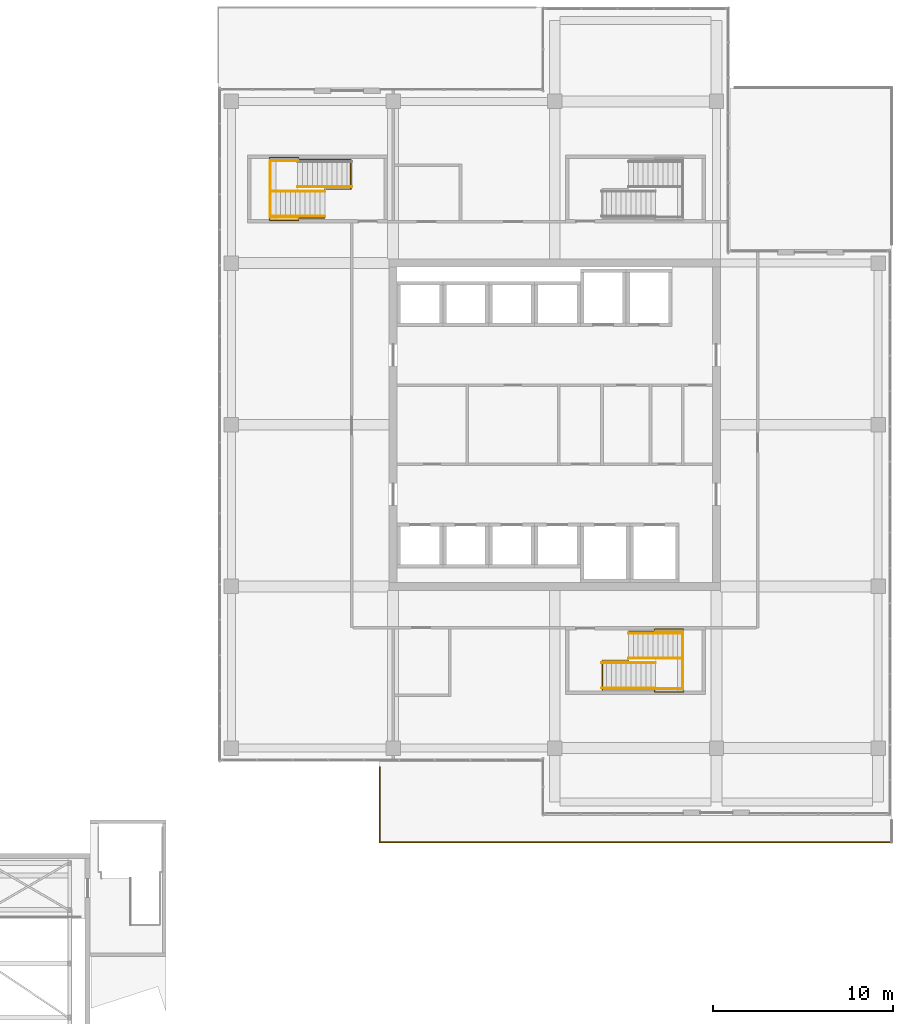
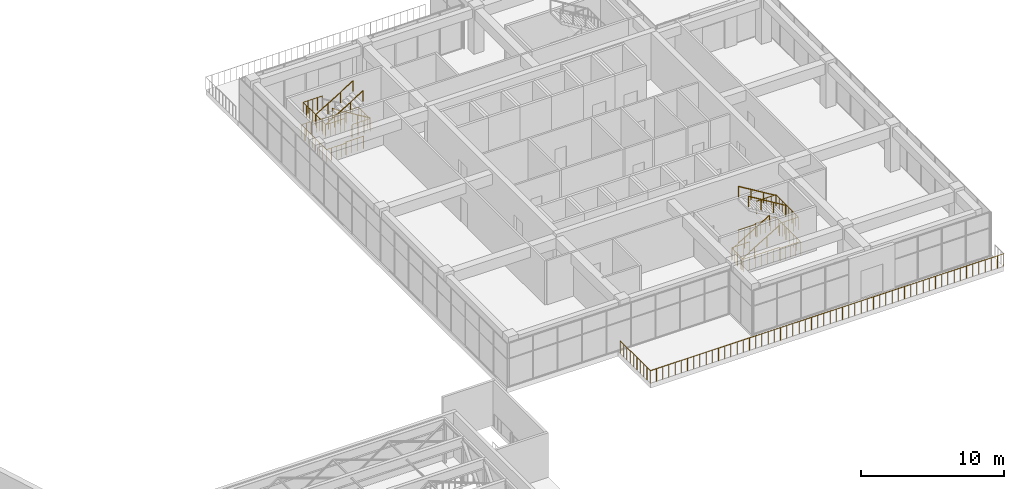
# One storey, part 80 of 81: 18 railings.
"""IFC4 building model written with IfcOpenShell, lengths in metres."""

from ifc_helpers import new_model, si_unit, direction, frame, origin, origin_2d, place, context, subcontext, project, spatial, circle, extrude, material, type_object, element, save


model = new_model("IFC4")

# Units and contexts
model_context = context("Model", 3, precision=1e-05, world=origin(), true_north=direction((0.0, 1.0)))
body_context = subcontext(model_context, "Body", "Model", "MODEL_VIEW")
ifc_project = project(units=[si_unit("LENGTHUNIT", "METRE"), si_unit("AREAUNIT", "SQUARE_METRE"), si_unit("VOLUMEUNIT", "CUBIC_METRE"), si_unit("PLANEANGLEUNIT", "RADIAN"), si_unit("MASSUNIT", "GRAM", prefix="KILO")], contexts=[model_context])

# Site, building, storey
site_placement = place(None, origin())
site = spatial("IfcSite", under=ifc_project, at=site_placement, CompositionType="ELEMENT")
building_placement = place(site_placement, origin())
building = spatial("IfcBuilding", under=site, at=building_placement, Name="Tuart Plaza Theatre", CompositionType="ELEMENT")
storey_placement = place(building_placement, frame((0.0, 0.0, 17.5)))
storey = spatial("IfcBuildingStorey", under=building, at=storey_placement, Name="L04", CompositionType="ELEMENT", Elevation=17.5)

# Railings
ifc_material_1 = material(Name="Steel Grade C350L0", Category="steel")
railing_type_1 = type_object("IfcRailingType", Name="RAILING Guard 1100", PredefinedType="GUARDRAIL", material=ifc_material_1)
railing_1_placement = place(storey_placement, frame((150.75, 50.75, 0.0)))
element("IfcRailing", 1, at=railing_1_placement, inside=storey, type_object=railing_type_1, Name="GR182", PredefinedType="GUARDRAIL", context=body_context, shape_type="SweptSolid", body=[
    extrude(circle(Radius=0.02490234375, at=origin_2d()), frame((0.0, 0.0, 1.0751953125), z_axis=(-1.0, 0.0, 0.0), x_axis=(0.0, -1.0, 0.0)), (0.0, 0.0, 1.0), 28.5),
    extrude(circle(Radius=0.02490234375, at=origin_2d()), frame((-28.5, 0.0, 1.0751953125), z_axis=(0.0, 1.0, 0.0), x_axis=(-1.0, 0.0, 0.0)), (0.0, 0.0, 1.0), 4.199951171875),
    extrude(circle(Radius=0.02001953125, at=origin_2d()), origin(), (0.0, 0.0, 1.0), 1.050048828125),
    extrude(circle(Radius=0.02001953125, at=origin_2d()), frame((-0.5, 0.0, 0.0)), (0.0, 0.0, 1.0), 1.050048828125),
    extrude(circle(Radius=0.02001953125, at=origin_2d()), frame((-1.0, 0.0, 0.0)), (0.0, 0.0, 1.0), 1.050048828125),
    extrude(circle(Radius=0.02001953125, at=origin_2d()), frame((-1.5, 0.0, 0.0)), (0.0, 0.0, 1.0), 1.050048828125),
    extrude(circle(Radius=0.02001953125, at=origin_2d()), frame((-2.0, 0.0, 0.0)), (0.0, 0.0, 1.0), 1.050048828125),
    extrude(circle(Radius=0.02001953125, at=origin_2d()), frame((-2.5, 0.0, 0.0)), (0.0, 0.0, 1.0), 1.050048828125),
    extrude(circle(Radius=0.02001953125, at=origin_2d()), frame((-3.0, 0.0, 0.0)), (0.0, 0.0, 1.0), 1.050048828125),
    extrude(circle(Radius=0.02001953125, at=origin_2d()), frame((-3.5, 0.0, 0.0)), (0.0, 0.0, 1.0), 1.050048828125),
    extrude(circle(Radius=0.02001953125, at=origin_2d()), frame((-4.0, 0.0, 0.0)), (0.0, 0.0, 1.0), 1.050048828125),
    extrude(circle(Radius=0.02001953125, at=origin_2d()), frame((-4.5, 0.0, 0.0)), (0.0, 0.0, 1.0), 1.050048828125),
    extrude(circle(Radius=0.02001953125, at=origin_2d()), frame((-5.0, 0.0, 0.0)), (0.0, 0.0, 1.0), 1.050048828125),
    extrude(circle(Radius=0.02001953125, at=origin_2d()), frame((-5.5, 0.0, 0.0)), (0.0, 0.0, 1.0), 1.050048828125),
    extrude(circle(Radius=0.02001953125, at=origin_2d()), frame((-6.0, 0.0, 0.0)), (0.0, 0.0, 1.0), 1.050048828125),
    extrude(circle(Radius=0.02001953125, at=origin_2d()), frame((-6.5, 0.0, 0.0)), (0.0, 0.0, 1.0), 1.050048828125),
    extrude(circle(Radius=0.02001953125, at=origin_2d()), frame((-7.0, 0.0, 0.0)), (0.0, 0.0, 1.0), 1.050048828125),
    extrude(circle(Radius=0.02001953125, at=origin_2d()), frame((-7.5, 0.0, 0.0)), (0.0, 0.0, 1.0), 1.050048828125),
    extrude(circle(Radius=0.02001953125, at=origin_2d()), frame((-8.0, 0.0, 0.0)), (0.0, 0.0, 1.0), 1.050048828125),
    extrude(circle(Radius=0.02001953125, at=origin_2d()), frame((-8.5, 0.0, 0.0)), (0.0, 0.0, 1.0), 1.050048828125),
    extrude(circle(Radius=0.02001953125, at=origin_2d()), frame((-9.0, 0.0, 0.0)), (0.0, 0.0, 1.0), 1.050048828125),
    extrude(circle(Radius=0.02001953125, at=origin_2d()), frame((-9.5, 0.0, 0.0)), (0.0, 0.0, 1.0), 1.050048828125),
    extrude(circle(Radius=0.02001953125, at=origin_2d()), frame((-10.0, 0.0, 0.0)), (0.0, 0.0, 1.0), 1.050048828125),
    extrude(circle(Radius=0.02001953125, at=origin_2d()), frame((-10.5, 0.0, 0.0)), (0.0, 0.0, 1.0), 1.050048828125),
    extrude(circle(Radius=0.02001953125, at=origin_2d()), frame((-11.0, 0.0, 0.0)), (0.0, 0.0, 1.0), 1.050048828125),
    extrude(circle(Radius=0.02001953125, at=origin_2d()), frame((-11.5, 0.0, 0.0)), (0.0, 0.0, 1.0), 1.050048828125),
    extrude(circle(Radius=0.02001953125, at=origin_2d()), frame((-12.0, 0.0, 0.0)), (0.0, 0.0, 1.0), 1.050048828125),
    extrude(circle(Radius=0.02001953125, at=origin_2d()), frame((-12.5, 0.0, 0.0)), (0.0, 0.0, 1.0), 1.050048828125),
    extrude(circle(Radius=0.02001953125, at=origin_2d()), frame((-13.0, 0.0, 0.0)), (0.0, 0.0, 1.0), 1.050048828125),
    extrude(circle(Radius=0.02001953125, at=origin_2d()), frame((-13.5, 0.0, 0.0)), (0.0, 0.0, 1.0), 1.050048828125),
    extrude(circle(Radius=0.02001953125, at=origin_2d()), frame((-14.0, 0.0, 0.0)), (0.0, 0.0, 1.0), 1.050048828125),
    extrude(circle(Radius=0.02001953125, at=origin_2d()), frame((-14.5, 0.0, 0.0)), (0.0, 0.0, 1.0), 1.050048828125),
    extrude(circle(Radius=0.02001953125, at=origin_2d()), frame((-15.0, 0.0, 0.0)), (0.0, 0.0, 1.0), 1.050048828125),
    extrude(circle(Radius=0.02001953125, at=origin_2d()), frame((-15.5, 0.0, 0.0)), (0.0, 0.0, 1.0), 1.050048828125),
    extrude(circle(Radius=0.02001953125, at=origin_2d()), frame((-16.0, 0.0, 0.0)), (0.0, 0.0, 1.0), 1.050048828125),
    extrude(circle(Radius=0.02001953125, at=origin_2d()), frame((-16.5, 0.0, 0.0)), (0.0, 0.0, 1.0), 1.050048828125),
    extrude(circle(Radius=0.02001953125, at=origin_2d()), frame((-17.0, 0.0, 0.0)), (0.0, 0.0, 1.0), 1.050048828125),
    extrude(circle(Radius=0.02001953125, at=origin_2d()), frame((-17.5, 0.0, 0.0)), (0.0, 0.0, 1.0), 1.050048828125),
    extrude(circle(Radius=0.02001953125, at=origin_2d()), frame((-18.0, 0.0, 0.0)), (0.0, 0.0, 1.0), 1.050048828125),
    extrude(circle(Radius=0.02001953125, at=origin_2d()), frame((-18.5, 0.0, 0.0)), (0.0, 0.0, 1.0), 1.050048828125),
    extrude(circle(Radius=0.02001953125, at=origin_2d()), frame((-19.0, 0.0, 0.0)), (0.0, 0.0, 1.0), 1.050048828125),
    extrude(circle(Radius=0.02001953125, at=origin_2d()), frame((-19.5, 0.0, 0.0)), (0.0, 0.0, 1.0), 1.050048828125),
    extrude(circle(Radius=0.02001953125, at=origin_2d()), frame((-20.0, 0.0, 0.0)), (0.0, 0.0, 1.0), 1.050048828125),
    extrude(circle(Radius=0.02001953125, at=origin_2d()), frame((-20.5, 0.0, 0.0)), (0.0, 0.0, 1.0), 1.050048828125),
    extrude(circle(Radius=0.02001953125, at=origin_2d()), frame((-21.0, 0.0, 0.0)), (0.0, 0.0, 1.0), 1.050048828125),
    extrude(circle(Radius=0.02001953125, at=origin_2d()), frame((-21.5, 0.0, 0.0)), (0.0, 0.0, 1.0), 1.050048828125),
    extrude(circle(Radius=0.02001953125, at=origin_2d()), frame((-22.0, 0.0, 0.0)), (0.0, 0.0, 1.0), 1.050048828125),
    extrude(circle(Radius=0.02001953125, at=origin_2d()), frame((-22.5, 0.0, 0.0)), (0.0, 0.0, 1.0), 1.050048828125),
    extrude(circle(Radius=0.02001953125, at=origin_2d()), frame((-23.0, 0.0, 0.0)), (0.0, 0.0, 1.0), 1.050048828125),
    extrude(circle(Radius=0.02001953125, at=origin_2d()), frame((-23.5, 0.0, 0.0)), (0.0, 0.0, 1.0), 1.050048828125),
    extrude(circle(Radius=0.02001953125, at=origin_2d()), frame((-24.0, 0.0, 0.0)), (0.0, 0.0, 1.0), 1.050048828125),
    extrude(circle(Radius=0.02001953125, at=origin_2d()), frame((-24.5, 0.0, 0.0)), (0.0, 0.0, 1.0), 1.050048828125),
    extrude(circle(Radius=0.02001953125, at=origin_2d()), frame((-25.0, 0.0, 0.0)), (0.0, 0.0, 1.0), 1.050048828125),
    extrude(circle(Radius=0.02001953125, at=origin_2d()), frame((-25.5, 0.0, 0.0)), (0.0, 0.0, 1.0), 1.050048828125),
    extrude(circle(Radius=0.02001953125, at=origin_2d()), frame((-26.0, 0.0, 0.0)), (0.0, 0.0, 1.0), 1.050048828125),
    extrude(circle(Radius=0.02001953125, at=origin_2d()), frame((-26.5, 0.0, 0.0)), (0.0, 0.0, 1.0), 1.050048828125),
    extrude(circle(Radius=0.02001953125, at=origin_2d()), frame((-27.0, 0.0, 0.0)), (0.0, 0.0, 1.0), 1.050048828125),
    extrude(circle(Radius=0.02001953125, at=origin_2d()), frame((-27.5, 0.0, 0.0)), (0.0, 0.0, 1.0), 1.050048828125),
    extrude(circle(Radius=0.02001953125, at=origin_2d()), frame((-28.0, 0.0, 0.0)), (0.0, 0.0, 1.0), 1.050048828125),
    extrude(circle(Radius=0.02001953125, at=origin_2d()), frame((-28.5, 0.0, 0.0)), (0.0, 0.0, 1.0), 1.050048828125),
    extrude(circle(Radius=0.02001953125, at=origin_2d()), frame((-28.5, 0.466552734375, 0.0)), (0.0, 0.0, 1.0), 1.050048828125),
    extrude(circle(Radius=0.02001953125, at=origin_2d()), frame((-28.5, 0.933349609375, 0.0)), (0.0, 0.0, 1.0), 1.050048828125),
    extrude(circle(Radius=0.02001953125, at=origin_2d()), frame((-28.5, 1.39990234375, 0.0)), (0.0, 0.0, 1.0), 1.050048828125),
    extrude(circle(Radius=0.02001953125, at=origin_2d()), frame((-28.5, 1.86669921875, 0.0)), (0.0, 0.0, 1.0), 1.050048828125),
    extrude(circle(Radius=0.02001953125, at=origin_2d()), frame((-28.5, 2.333251953125, 0.0)), (0.0, 0.0, 1.0), 1.050048828125),
    extrude(circle(Radius=0.02001953125, at=origin_2d()), frame((-28.5, 2.800048828125, 0.0)), (0.0, 0.0, 1.0), 1.050048828125),
    extrude(circle(Radius=0.02001953125, at=origin_2d()), frame((-28.5, 3.2666015625, 0.0)), (0.0, 0.0, 1.0), 1.050048828125),
    extrude(circle(Radius=0.02001953125, at=origin_2d()), frame((-28.5, 3.7333984375, 0.0)), (0.0, 0.0, 1.0), 1.050048828125),
    extrude(circle(Radius=0.02001953125, at=origin_2d()), frame((-28.5, 4.199951171875, 0.0)), (0.0, 0.0, 1.0), 1.050048828125),
])
railing_2_placement = place(storey_placement, frame((134.655029296875, 59.25, 0.0)))
element("IfcRailing", 2, at=railing_2_placement, inside=storey, type_object=railing_type_1, Name="GR214", PredefinedType="GUARDRAIL", context=body_context, shape_type="SweptSolid", body=[
    extrude(circle(Radius=0.02490234375, at=origin_2d()), frame((0.0, 0.0, 1.0751953125), z_axis=(0.0, 1.0, 0.0), x_axis=(-1.0, 0.0, 0.0)), (0.0, 0.0, 1.0), 1.625),
    extrude(circle(Radius=0.02490234375, at=origin_2d()), frame((0.0, 1.625, 1.0751953125), z_axis=(1.0, 0.0, 0.0), x_axis=(0.0, 1.0, 0.0)), (0.0, 0.0, 1.0), 1.455078125),
    extrude(circle(Radius=0.02001953125, at=origin_2d()), origin(), (0.0, 0.0, 1.0), 1.050048828125),
    extrude(circle(Radius=0.02001953125, at=origin_2d()), frame((0.0, 0.40625, 0.0)), (0.0, 0.0, 1.0), 1.050048828125),
    extrude(circle(Radius=0.02001953125, at=origin_2d()), frame((0.0, 0.8125, 0.0)), (0.0, 0.0, 1.0), 1.050048828125),
    extrude(circle(Radius=0.02001953125, at=origin_2d()), frame((0.0, 1.21875, 0.0)), (0.0, 0.0, 1.0), 1.050048828125),
    extrude(circle(Radius=0.02001953125, at=origin_2d()), frame((0.0, 1.625, 0.0)), (0.0, 0.0, 1.0), 1.050048828125),
    extrude(circle(Radius=0.02001953125, at=origin_2d()), frame((0.485107421875, 1.625, 0.0)), (0.0, 0.0, 1.0), 1.050048828125),
    extrude(circle(Radius=0.02001953125, at=origin_2d()), frame((0.969970703125, 1.625, 0.0)), (0.0, 0.0, 1.0), 1.050048828125),
    extrude(circle(Radius=0.02001953125, at=origin_2d()), frame((1.455078125, 1.625, 0.0)), (0.0, 0.0, 1.0), 1.050048828125),
])
railing_3_placement = place(storey_placement, frame((136.114990234375, 62.455078125, 0.0)))
element("IfcRailing", 3, at=railing_3_placement, inside=storey, type_object=railing_type_1, Name="GR215", PredefinedType="GUARDRAIL", context=body_context, shape_type="SweptSolid", body=[
    extrude(circle(Radius=0.02490234375, at=origin_2d()), frame((0.0, 0.0, 1.0751953125), z_axis=(0.0, 1.0, 0.0), x_axis=(-1.0, 0.0, 0.0)), (0.0, 0.0, 1.0), 0.044921875),
    extrude(circle(Radius=0.02490234375, at=origin_2d()), frame((0.0, 0.044921875, 1.0751953125), z_axis=(1.0, 0.0, 0.0), x_axis=(0.0, 1.0, 0.0)), (0.0, 0.0, 1.0), 1.43505859375),
    extrude(circle(Radius=0.02490234375, at=origin_2d()), frame((1.43505859375, 0.044921875, 1.0751953125), z_axis=(0.0, 1.0, 0.0), x_axis=(-1.0, 0.0, 0.0)), (0.0, 0.0, 1.0), 0.123046875),
    extrude(circle(Radius=0.02490234375, at=origin_2d()), frame((1.43505859375, 0.16796875, 1.0751953125), z_axis=(1.0, 0.0, 0.0), x_axis=(0.0, 1.0, 0.0)), (0.0, 0.0, 1.0), 1.6298828125),
    extrude(circle(Radius=0.02490234375, at=origin_2d()), frame((3.06494140625, 0.16796875, 1.0751953125), z_axis=(0.0, -1.0, 0.0), x_axis=(1.0, 0.0, 0.0)), (0.0, 0.0, 1.0), 3.49609375),
    extrude(circle(Radius=0.02490234375, at=origin_2d()), frame((3.06494140625, -3.328125, 1.0751953125), z_axis=(-1.0, 0.0, 0.0), x_axis=(0.0, -1.0, 0.0)), (0.0, 0.0, 1.0), 1.6298828125),
    extrude(circle(Radius=0.02490234375, at=origin_2d()), frame((1.43505859375, -3.328125, 1.0751953125), z_axis=(0.0, 1.0, 0.0), x_axis=(-1.0, 0.0, 0.0)), (0.0, 0.0, 1.0), 0.123046875),
    extrude(circle(Radius=0.02490234375, at=origin_2d()), frame((1.43505859375, -3.205078125, 1.0751953125), z_axis=(-1.0, 0.0, 0.0), x_axis=(0.0, -1.0, 0.0)), (0.0, 0.0, 1.0), 2.89501953125),
    extrude(circle(Radius=0.02001953125, at=origin_2d()), origin(), (0.0, 0.0, 1.0), 1.050048828125),
    extrude(circle(Radius=0.02001953125, at=origin_2d()), frame((0.0, 0.044921875, 0.0)), (0.0, 0.0, 1.0), 1.050048828125),
    extrude(circle(Radius=0.02001953125, at=origin_2d()), frame((0.478271484375, 0.044921875, 0.0)), (0.0, 0.0, 1.0), 1.050048828125),
    extrude(circle(Radius=0.02001953125, at=origin_2d()), frame((0.956787109375, 0.044921875, 0.0)), (0.0, 0.0, 1.0), 1.050048828125),
    extrude(circle(Radius=0.02001953125, at=origin_2d()), frame((1.43505859375, 0.044921875, 0.0)), (0.0, 0.0, 1.0), 1.050048828125),
    extrude(circle(Radius=0.02001953125, at=origin_2d()), frame((1.43505859375, 0.16796875, 0.0)), (0.0, 0.0, 1.0), 1.050048828125),
    extrude(circle(Radius=0.02001953125, at=origin_2d()), frame((1.842529296875, 0.16796875, 0.0)), (0.0, 0.0, 1.0), 1.050048828125),
    extrude(circle(Radius=0.02001953125, at=origin_2d()), frame((2.25, 0.16796875, 0.0)), (0.0, 0.0, 1.0), 1.050048828125),
    extrude(circle(Radius=0.02001953125, at=origin_2d()), frame((2.657470703125, 0.16796875, 0.0)), (0.0, 0.0, 1.0), 1.050048828125),
    extrude(circle(Radius=0.02001953125, at=origin_2d()), frame((3.06494140625, 0.16796875, 0.0)), (0.0, 0.0, 1.0), 1.050048828125),
    extrude(circle(Radius=0.02001953125, at=origin_2d()), frame((3.06494140625, -0.33154296875, 0.0)), (0.0, 0.0, 1.0), 1.050048828125),
    extrude(circle(Radius=0.02001953125, at=origin_2d()), frame((3.06494140625, -0.830810546875, 0.0)), (0.0, 0.0, 1.0), 1.050048828125),
    extrude(circle(Radius=0.02001953125, at=origin_2d()), frame((3.06494140625, -1.330322265625, 0.0)), (0.0, 0.0, 1.0), 1.050048828125),
    extrude(circle(Radius=0.02001953125, at=origin_2d()), frame((3.06494140625, -1.829833984375, 0.0)), (0.0, 0.0, 1.0), 1.050048828125),
    extrude(circle(Radius=0.02001953125, at=origin_2d()), frame((3.06494140625, -2.329345703125, 0.0)), (0.0, 0.0, 1.0), 1.050048828125),
    extrude(circle(Radius=0.02001953125, at=origin_2d()), frame((3.06494140625, -2.82861328125, 0.0)), (0.0, 0.0, 1.0), 1.050048828125),
    extrude(circle(Radius=0.02001953125, at=origin_2d()), frame((3.06494140625, -3.328125, 0.0)), (0.0, 0.0, 1.0), 1.050048828125),
    extrude(circle(Radius=0.02001953125, at=origin_2d()), frame((2.657470703125, -3.328125, 0.0)), (0.0, 0.0, 1.0), 1.050048828125),
    extrude(circle(Radius=0.02001953125, at=origin_2d()), frame((2.25, -3.328125, 0.0)), (0.0, 0.0, 1.0), 1.050048828125),
    extrude(circle(Radius=0.02001953125, at=origin_2d()), frame((1.842529296875, -3.328125, 0.0)), (0.0, 0.0, 1.0), 1.050048828125),
    extrude(circle(Radius=0.02001953125, at=origin_2d()), frame((1.43505859375, -3.328125, 0.0)), (0.0, 0.0, 1.0), 1.050048828125),
    extrude(circle(Radius=0.02001953125, at=origin_2d()), frame((1.43505859375, -3.205078125, 0.0)), (0.0, 0.0, 1.0), 1.050048828125),
    extrude(circle(Radius=0.02001953125, at=origin_2d()), frame((0.95263671875, -3.205078125, 0.0)), (0.0, 0.0, 1.0), 1.050048828125),
    extrude(circle(Radius=0.02001953125, at=origin_2d()), frame((0.469970703125, -3.205078125, 0.0)), (0.0, 0.0, 1.0), 1.050048828125),
    extrude(circle(Radius=0.02001953125, at=origin_2d()), frame((-0.012451171875, -3.205078125, 0.0)), (0.0, 0.0, 1.0), 1.050048828125),
    extrude(circle(Radius=0.02001953125, at=origin_2d()), frame((-0.494873046875, -3.205078125, 0.0)), (0.0, 0.0, 1.0), 1.050048828125),
    extrude(circle(Radius=0.02001953125, at=origin_2d()), frame((-0.9775390625, -3.205078125, 0.0)), (0.0, 0.0, 1.0), 1.050048828125),
    extrude(circle(Radius=0.02001953125, at=origin_2d()), frame((-1.4599609375, -3.205078125, 0.0)), (0.0, 0.0, 1.0), 1.050048828125),
])
railing_4_placement = place(storey_placement, frame((137.60009765625, 59.300048828125, 2.0)))
element("IfcRailing", 4, at=railing_4_placement, inside=storey, type_object=railing_type_1, Name="GR221", PredefinedType="GUARDRAIL", context=body_context, shape_type="SweptSolid", body=[
    extrude(circle(Radius=0.02490234375, at=origin_2d()), frame((0.0, 0.0, 1.0751953125), z_axis=(1.0, 0.0, 0.0), x_axis=(0.0, 1.0, 0.0)), (0.0, 0.0, 1.0), 1.52978515625),
    extrude(circle(Radius=0.02001953125, at=origin_2d()), origin(), (0.0, 0.0, 1.0), 1.050048828125),
    extrude(circle(Radius=0.02001953125, at=origin_2d()), frame((0.38232421875, 0.0, 0.0)), (0.0, 0.0, 1.0), 1.050048828125),
    extrude(circle(Radius=0.02001953125, at=origin_2d()), frame((0.764892578125, 0.0, 0.0)), (0.0, 0.0, 1.0), 1.050048828125),
    extrude(circle(Radius=0.02001953125, at=origin_2d()), frame((1.1474609375, 0.0, 0.0)), (0.0, 0.0, 1.0), 1.050048828125),
    extrude(circle(Radius=0.02001953125, at=origin_2d()), frame((1.52978515625, 0.0, 0.0)), (0.0, 0.0, 1.0), 1.050048828125),
])
railing_5_placement = place(storey_placement, frame((139.1298828125, 59.300048828125, 2.0)))
element("IfcRailing", 5, at=railing_5_placement, inside=storey, type_object=railing_type_1, Name="GR222", PredefinedType="GUARDRAIL", context=body_context, shape_type="SweptSolid", body=[
    extrude(circle(Radius=0.02490234375, at=origin_2d()), frame((0.0, 0.0, 1.0751953125), z_axis=(0.0, 1.0, 0.0), x_axis=(-1.0, 0.0, 0.0)), (0.0, 0.0, 1.0), 3.14990234375),
    extrude(circle(Radius=0.02001953125, at=origin_2d()), origin(), (0.0, 0.0, 1.0), 1.050048828125),
    extrude(circle(Radius=0.02001953125, at=origin_2d()), frame((0.0, 0.449951171875, 0.0)), (0.0, 0.0, 1.0), 1.050048828125),
    extrude(circle(Radius=0.02001953125, at=origin_2d()), frame((0.0, 0.89990234375, 0.0)), (0.0, 0.0, 1.0), 1.050048828125),
    extrude(circle(Radius=0.02001953125, at=origin_2d()), frame((0.0, 1.349853515625, 0.0)), (0.0, 0.0, 1.0), 1.050048828125),
    extrude(circle(Radius=0.02001953125, at=origin_2d()), frame((0.0, 1.800048828125, 0.0)), (0.0, 0.0, 1.0), 1.050048828125),
    extrude(circle(Radius=0.02001953125, at=origin_2d()), frame((0.0, 2.25, 0.0)), (0.0, 0.0, 1.0), 1.050048828125),
    extrude(circle(Radius=0.02001953125, at=origin_2d()), frame((0.0, 2.699951171875, 0.0)), (0.0, 0.0, 1.0), 1.050048828125),
    extrude(circle(Radius=0.02001953125, at=origin_2d()), frame((0.0, 3.14990234375, 0.0)), (0.0, 0.0, 1.0), 1.050048828125),
])
railing_6_placement = place(storey_placement, frame((139.1298828125, 62.449951171875, 2.0)))
element("IfcRailing", 6, at=railing_6_placement, inside=storey, type_object=railing_type_1, Name="GR223", PredefinedType="GUARDRAIL", context=body_context, shape_type="SweptSolid", body=[
    extrude(circle(Radius=0.02490234375, at=origin_2d()), frame((0.0, 0.0, 1.0751953125), z_axis=(-1.0, 0.0, 0.0), x_axis=(0.0, -1.0, 0.0)), (0.0, 0.0, 1.0), 1.52978515625),
    extrude(circle(Radius=0.02001953125, at=origin_2d()), origin(), (0.0, 0.0, 1.0), 1.050048828125),
    extrude(circle(Radius=0.02001953125, at=origin_2d()), frame((-0.38232421875, 0.0, 0.0)), (0.0, 0.0, 1.0), 1.050048828125),
    extrude(circle(Radius=0.02001953125, at=origin_2d()), frame((-0.764892578125, 0.0, 0.0)), (0.0, 0.0, 1.0), 1.050048828125),
    extrude(circle(Radius=0.02001953125, at=origin_2d()), frame((-1.1474609375, 0.0, 0.0)), (0.0, 0.0, 1.0), 1.050048828125),
    extrude(circle(Radius=0.02001953125, at=origin_2d()), frame((-1.52978515625, 0.0, 0.0)), (0.0, 0.0, 1.0), 1.050048828125),
])
railing_7_placement = place(storey_placement, frame((117.75, 88.75, 0.0)))
element("IfcRailing", 7, at=railing_7_placement, inside=storey, type_object=railing_type_1, Name="GR372", PredefinedType="GUARDRAIL", context=body_context, shape_type="SweptSolid", body=[
    extrude(circle(Radius=0.02490234375, at=origin_2d()), frame((0.0, 0.0, 1.0751953125), z_axis=(1.0, 0.0, 0.0), x_axis=(0.0, 1.0, 0.0)), (0.0, 0.0, 1.0), 2.89501953125),
    extrude(circle(Radius=0.02490234375, at=origin_2d()), frame((2.89501953125, 0.0, 1.0751953125), z_axis=(0.0, -1.0, 0.0), x_axis=(1.0, 0.0, 0.0)), (0.0, 0.0, 1.0), 1.625),
    extrude(circle(Radius=0.02490234375, at=origin_2d()), frame((2.89501953125, -1.625, 1.0751953125), z_axis=(-1.0, 0.0, 0.0), x_axis=(0.0, -1.0, 0.0)), (0.0, 0.0, 1.0), 1.455078125),
    extrude(circle(Radius=0.02001953125, at=origin_2d()), origin(), (0.0, 0.0, 1.0), 1.050048828125),
    extrude(circle(Radius=0.02001953125, at=origin_2d()), frame((0.482421875, 0.0, 0.0)), (0.0, 0.0, 1.0), 1.050048828125),
    extrude(circle(Radius=0.02001953125, at=origin_2d()), frame((0.965087890625, 0.0, 0.0)), (0.0, 0.0, 1.0), 1.050048828125),
    extrude(circle(Radius=0.02001953125, at=origin_2d()), frame((1.447509765625, 0.0, 0.0)), (0.0, 0.0, 1.0), 1.050048828125),
    extrude(circle(Radius=0.02001953125, at=origin_2d()), frame((1.929931640625, 0.0, 0.0)), (0.0, 0.0, 1.0), 1.050048828125),
    extrude(circle(Radius=0.02001953125, at=origin_2d()), frame((2.41259765625, 0.0, 0.0)), (0.0, 0.0, 1.0), 1.050048828125),
    extrude(circle(Radius=0.02001953125, at=origin_2d()), frame((2.89501953125, 0.0, 0.0)), (0.0, 0.0, 1.0), 1.050048828125),
    extrude(circle(Radius=0.02001953125, at=origin_2d()), frame((2.89501953125, -0.40625, 0.0)), (0.0, 0.0, 1.0), 1.050048828125),
    extrude(circle(Radius=0.02001953125, at=origin_2d()), frame((2.89501953125, -0.8125, 0.0)), (0.0, 0.0, 1.0), 1.050048828125),
    extrude(circle(Radius=0.02001953125, at=origin_2d()), frame((2.89501953125, -1.21875, 0.0)), (0.0, 0.0, 1.0), 1.050048828125),
    extrude(circle(Radius=0.02001953125, at=origin_2d()), frame((2.89501953125, -1.625, 0.0)), (0.0, 0.0, 1.0), 1.050048828125),
    extrude(circle(Radius=0.02001953125, at=origin_2d()), frame((2.409912109375, -1.625, 0.0)), (0.0, 0.0, 1.0), 1.050048828125),
    extrude(circle(Radius=0.02001953125, at=origin_2d()), frame((1.925048828125, -1.625, 0.0)), (0.0, 0.0, 1.0), 1.050048828125),
    extrude(circle(Radius=0.02001953125, at=origin_2d()), frame((1.43994140625, -1.625, 0.0)), (0.0, 0.0, 1.0), 1.050048828125),
])
railing_8_placement = place(storey_placement, frame((119.18505859375, 85.544921875, 0.0)))
element("IfcRailing", 8, at=railing_8_placement, inside=storey, type_object=railing_type_1, Name="GR373", PredefinedType="GUARDRAIL", context=body_context, shape_type="SweptSolid", body=[
    extrude(circle(Radius=0.02490234375, at=origin_2d()), frame((0.0, 0.0, 1.0751953125), z_axis=(0.0, -1.0, 0.0), x_axis=(1.0, 0.0, 0.0)), (0.0, 0.0, 1.0), 0.044921875),
    extrude(circle(Radius=0.02490234375, at=origin_2d()), frame((0.0, -0.044921875, 1.0751953125), z_axis=(-1.0, 0.0, 0.0), x_axis=(0.0, -1.0, 0.0)), (0.0, 0.0, 1.0), 1.43505859375),
    extrude(circle(Radius=0.02490234375, at=origin_2d()), frame((-1.43505859375, -0.044921875, 1.0751953125), z_axis=(0.0, -1.0, 0.0), x_axis=(1.0, 0.0, 0.0)), (0.0, 0.0, 1.0), 0.123046875),
    extrude(circle(Radius=0.02490234375, at=origin_2d()), frame((-1.43505859375, -0.16796875, 1.0751953125), z_axis=(-1.0, 0.0, 0.0), x_axis=(0.0, -1.0, 0.0)), (0.0, 0.0, 1.0), 1.6298828125),
    extrude(circle(Radius=0.02490234375, at=origin_2d()), frame((-3.06494140625, -0.16796875, 1.0751953125), z_axis=(0.0, 1.0, 0.0), x_axis=(-1.0, 0.0, 0.0)), (0.0, 0.0, 1.0), 3.49609375),
    extrude(circle(Radius=0.02490234375, at=origin_2d()), frame((-3.06494140625, 3.328125, 1.0751953125), z_axis=(1.0, 0.0, 0.0), x_axis=(0.0, 1.0, 0.0)), (0.0, 0.0, 1.0), 1.6298828125),
    extrude(circle(Radius=0.02490234375, at=origin_2d()), frame((-1.43505859375, 3.328125, 1.0751953125), z_axis=(0.0, -1.0, 0.0), x_axis=(1.0, 0.0, 0.0)), (0.0, 0.0, 1.0), 0.123046875),
    extrude(circle(Radius=0.02001953125, at=origin_2d()), origin(), (0.0, 0.0, 1.0), 1.050048828125),
    extrude(circle(Radius=0.02001953125, at=origin_2d()), frame((0.0, -0.044921875, 0.0)), (0.0, 0.0, 1.0), 1.050048828125),
    extrude(circle(Radius=0.02001953125, at=origin_2d()), frame((-0.478271484375, -0.044921875, 0.0)), (0.0, 0.0, 1.0), 1.050048828125),
    extrude(circle(Radius=0.02001953125, at=origin_2d()), frame((-0.956787109375, -0.044921875, 0.0)), (0.0, 0.0, 1.0), 1.050048828125),
    extrude(circle(Radius=0.02001953125, at=origin_2d()), frame((-1.43505859375, -0.044921875, 0.0)), (0.0, 0.0, 1.0), 1.050048828125),
    extrude(circle(Radius=0.02001953125, at=origin_2d()), frame((-1.43505859375, -0.16796875, 0.0)), (0.0, 0.0, 1.0), 1.050048828125),
    extrude(circle(Radius=0.02001953125, at=origin_2d()), frame((-1.842529296875, -0.16796875, 0.0)), (0.0, 0.0, 1.0), 1.050048828125),
    extrude(circle(Radius=0.02001953125, at=origin_2d()), frame((-2.25, -0.16796875, 0.0)), (0.0, 0.0, 1.0), 1.050048828125),
    extrude(circle(Radius=0.02001953125, at=origin_2d()), frame((-2.657470703125, -0.16796875, 0.0)), (0.0, 0.0, 1.0), 1.050048828125),
    extrude(circle(Radius=0.02001953125, at=origin_2d()), frame((-3.06494140625, -0.16796875, 0.0)), (0.0, 0.0, 1.0), 1.050048828125),
    extrude(circle(Radius=0.02001953125, at=origin_2d()), frame((-3.06494140625, 0.33154296875, 0.0)), (0.0, 0.0, 1.0), 1.050048828125),
    extrude(circle(Radius=0.02001953125, at=origin_2d()), frame((-3.06494140625, 0.830810546875, 0.0)), (0.0, 0.0, 1.0), 1.050048828125),
    extrude(circle(Radius=0.02001953125, at=origin_2d()), frame((-3.06494140625, 1.330322265625, 0.0)), (0.0, 0.0, 1.0), 1.050048828125),
    extrude(circle(Radius=0.02001953125, at=origin_2d()), frame((-3.06494140625, 1.829833984375, 0.0)), (0.0, 0.0, 1.0), 1.050048828125),
    extrude(circle(Radius=0.02001953125, at=origin_2d()), frame((-3.06494140625, 2.329345703125, 0.0)), (0.0, 0.0, 1.0), 1.050048828125),
    extrude(circle(Radius=0.02001953125, at=origin_2d()), frame((-3.06494140625, 2.82861328125, 0.0)), (0.0, 0.0, 1.0), 1.050048828125),
    extrude(circle(Radius=0.02001953125, at=origin_2d()), frame((-3.06494140625, 3.328125, 0.0)), (0.0, 0.0, 1.0), 1.050048828125),
    extrude(circle(Radius=0.02001953125, at=origin_2d()), frame((-2.657470703125, 3.328125, 0.0)), (0.0, 0.0, 1.0), 1.050048828125),
    extrude(circle(Radius=0.02001953125, at=origin_2d()), frame((-2.25, 3.328125, 0.0)), (0.0, 0.0, 1.0), 1.050048828125),
    extrude(circle(Radius=0.02001953125, at=origin_2d()), frame((-1.842529296875, 3.328125, 0.0)), (0.0, 0.0, 1.0), 1.050048828125),
    extrude(circle(Radius=0.02001953125, at=origin_2d()), frame((-1.43505859375, 3.328125, 0.0)), (0.0, 0.0, 1.0), 1.050048828125),
    extrude(circle(Radius=0.02001953125, at=origin_2d()), frame((-1.43505859375, 3.205078125, 0.0)), (0.0, 0.0, 1.0), 1.050048828125),
])
railing_9_placement = place(storey_placement, frame((117.699951171875, 88.699951171875, 2.0)))
element("IfcRailing", 9, at=railing_9_placement, inside=storey, type_object=railing_type_1, Name="GR379", PredefinedType="GUARDRAIL", context=body_context, shape_type="SweptSolid", body=[
    extrude(circle(Radius=0.02490234375, at=origin_2d()), frame((0.0, 0.0, 1.0751953125), z_axis=(-1.0, 0.0, 0.0), x_axis=(0.0, -1.0, 0.0)), (0.0, 0.0, 1.0), 1.530029296875),
    extrude(circle(Radius=0.02001953125, at=origin_2d()), origin(), (0.0, 0.0, 1.0), 1.050048828125),
    extrude(circle(Radius=0.02001953125, at=origin_2d()), frame((-0.382568359375, 0.0, 0.0)), (0.0, 0.0, 1.0), 1.050048828125),
    extrude(circle(Radius=0.02001953125, at=origin_2d()), frame((-0.76513671875, 0.0, 0.0)), (0.0, 0.0, 1.0), 1.050048828125),
    extrude(circle(Radius=0.02001953125, at=origin_2d()), frame((-1.1474609375, 0.0, 0.0)), (0.0, 0.0, 1.0), 1.050048828125),
    extrude(circle(Radius=0.02001953125, at=origin_2d()), frame((-1.530029296875, 0.0, 0.0)), (0.0, 0.0, 1.0), 1.050048828125),
])
railing_10_placement = place(storey_placement, frame((116.169921875, 88.699951171875, 2.0)))
element("IfcRailing", 10, at=railing_10_placement, inside=storey, type_object=railing_type_1, Name="GR380", PredefinedType="GUARDRAIL", context=body_context, shape_type="SweptSolid", body=[
    extrude(circle(Radius=0.02490234375, at=origin_2d()), frame((0.0, 0.0, 1.0751953125), z_axis=(0.0, -1.0, 0.0), x_axis=(1.0, 0.0, 0.0)), (0.0, 0.0, 1.0), 3.14990234375),
    extrude(circle(Radius=0.02001953125, at=origin_2d()), origin(), (0.0, 0.0, 1.0), 1.050048828125),
    extrude(circle(Radius=0.02001953125, at=origin_2d()), frame((0.0, -0.449951171875, 0.0)), (0.0, 0.0, 1.0), 1.050048828125),
    extrude(circle(Radius=0.02001953125, at=origin_2d()), frame((0.0, -0.89990234375, 0.0)), (0.0, 0.0, 1.0), 1.050048828125),
    extrude(circle(Radius=0.02001953125, at=origin_2d()), frame((0.0, -1.349853515625, 0.0)), (0.0, 0.0, 1.0), 1.050048828125),
    extrude(circle(Radius=0.02001953125, at=origin_2d()), frame((0.0, -1.800048828125, 0.0)), (0.0, 0.0, 1.0), 1.050048828125),
    extrude(circle(Radius=0.02001953125, at=origin_2d()), frame((0.0, -2.25, 0.0)), (0.0, 0.0, 1.0), 1.050048828125),
    extrude(circle(Radius=0.02001953125, at=origin_2d()), frame((0.0, -2.699951171875, 0.0)), (0.0, 0.0, 1.0), 1.050048828125),
    extrude(circle(Radius=0.02001953125, at=origin_2d()), frame((0.0, -3.14990234375, 0.0)), (0.0, 0.0, 1.0), 1.050048828125),
])
railing_11_placement = place(storey_placement, frame((116.169921875, 85.550048828125, 2.0)))
element("IfcRailing", 11, at=railing_11_placement, inside=storey, type_object=railing_type_1, Name="GR381", PredefinedType="GUARDRAIL", context=body_context, shape_type="SweptSolid", body=[
    extrude(circle(Radius=0.02490234375, at=origin_2d()), frame((0.0, 0.0, 1.0751953125), z_axis=(1.0, 0.0, 0.0), x_axis=(0.0, 1.0, 0.0)), (0.0, 0.0, 1.0), 1.530029296875),
    extrude(circle(Radius=0.02001953125, at=origin_2d()), origin(), (0.0, 0.0, 1.0), 1.050048828125),
    extrude(circle(Radius=0.02001953125, at=origin_2d()), frame((0.382568359375, 0.0, 0.0)), (0.0, 0.0, 1.0), 1.050048828125),
    extrude(circle(Radius=0.02001953125, at=origin_2d()), frame((0.76513671875, 0.0, 0.0)), (0.0, 0.0, 1.0), 1.050048828125),
    extrude(circle(Radius=0.02001953125, at=origin_2d()), frame((1.1474609375, 0.0, 0.0)), (0.0, 0.0, 1.0), 1.050048828125),
    extrude(circle(Radius=0.02001953125, at=origin_2d()), frame((1.530029296875, 0.0, 0.0)), (0.0, 0.0, 1.0), 1.050048828125),
])
ifc_material_2 = material(Name="Steel Grade C350L0", Category="steel")
railing_type_2 = type_object("IfcRailingType", Name="RAILING Handrail 900", PredefinedType="HANDRAIL", material=ifc_material_2)
for number, where, name in (
    (12, (134.594970703125, 60.75, 0.166748046875), "HR131"),
    (13, (134.594970703125, 59.35009765625, 0.166748046875), "HR132"),
):
    element("IfcRailing", number, at=place(storey_placement, frame(where)), inside=storey, type_object=railing_type_2, Name=name, PredefinedType="HANDRAIL", context=body_context, shape_type="SweptSolid", body=[
        extrude(circle(Radius=0.0224609375, at=origin_2d()), frame((0.0, 0.0, 0.87744140625), z_axis=(0.855219153138, 0.0, 0.518266533848), x_axis=(0.0, 1.0, 0.0)), (0.0, 0.0, 1.0), 3.537353515625),
        extrude(circle(Radius=0.01513671875, at=origin_2d()), origin(), (0.0, 0.0, 1.0), 0.85498046875),
        extrude(circle(Radius=0.01513671875, at=origin_2d()), frame((1.00830078125, 0.0, 0.611083984375)), (0.0, 0.0, 1.0), 0.85498046875),
        extrude(circle(Radius=0.01513671875, at=origin_2d()), frame((2.016845703125, 0.0, 1.22216796875)), (0.0, 0.0, 1.0), 0.85498046875),
        extrude(circle(Radius=0.01513671875, at=origin_2d()), frame((3.025146484375, 0.0, 1.833251953125)), (0.0, 0.0, 1.0), 0.85498046875),
    ])
for number, where, name in (
    (14, (139.1201171875, 61.0, 2.166748046875), "HR133"),
    (15, (139.1201171875, 62.39990234375, 2.166748046875), "HR134"),
    (16, (120.705078125, 87.25, 0.166748046875), "HR259"),
):
    element("IfcRailing", number, at=place(storey_placement, frame(where)), inside=storey, type_object=railing_type_2, Name=name, PredefinedType="HANDRAIL", context=body_context, shape_type="SweptSolid", body=[
        extrude(circle(Radius=0.0224609375, at=origin_2d()), frame((0.0, 0.0, 0.87744140625), z_axis=(-0.855219153138, 0.0, 0.518266533848), x_axis=(0.0, -1.0, 0.0)), (0.0, 0.0, 1.0), 3.537353515625),
        extrude(circle(Radius=0.01513671875, at=origin_2d()), origin(), (0.0, 0.0, 1.0), 0.85498046875),
        extrude(circle(Radius=0.01513671875, at=origin_2d()), frame((-1.00830078125, 0.0, 0.611083984375)), (0.0, 0.0, 1.0), 0.85498046875),
        extrude(circle(Radius=0.01513671875, at=origin_2d()), frame((-2.016845703125, 0.0, 1.22216796875)), (0.0, 0.0, 1.0), 0.85498046875),
        extrude(circle(Radius=0.01513671875, at=origin_2d()), frame((-3.025146484375, 0.0, 1.833251953125)), (0.0, 0.0, 1.0), 0.85498046875),
    ])
for number, where, name in (
    (17, (116.179931640625, 87.0, 2.166748046875), "HR261"),
    (18, (116.179931640625, 85.60009765625, 2.166748046875), "HR262"),
):
    element("IfcRailing", number, at=place(storey_placement, frame(where)), inside=storey, type_object=railing_type_2, Name=name, PredefinedType="HANDRAIL", context=body_context, shape_type="SweptSolid", body=[
        extrude(circle(Radius=0.0224609375, at=origin_2d()), frame((0.0, 0.0, 0.87744140625), z_axis=(0.855219153138, 0.0, 0.518266533848), x_axis=(0.0, 1.0, 0.0)), (0.0, 0.0, 1.0), 3.537353515625),
        extrude(circle(Radius=0.01513671875, at=origin_2d()), origin(), (0.0, 0.0, 1.0), 0.85498046875),
        extrude(circle(Radius=0.01513671875, at=origin_2d()), frame((1.00830078125, 0.0, 0.611083984375)), (0.0, 0.0, 1.0), 0.85498046875),
        extrude(circle(Radius=0.01513671875, at=origin_2d()), frame((2.016845703125, 0.0, 1.22216796875)), (0.0, 0.0, 1.0), 0.85498046875),
        extrude(circle(Radius=0.01513671875, at=origin_2d()), frame((3.025146484375, 0.0, 1.833251953125)), (0.0, 0.0, 1.0), 0.85498046875),
    ])

save(model, "model.ifc")
